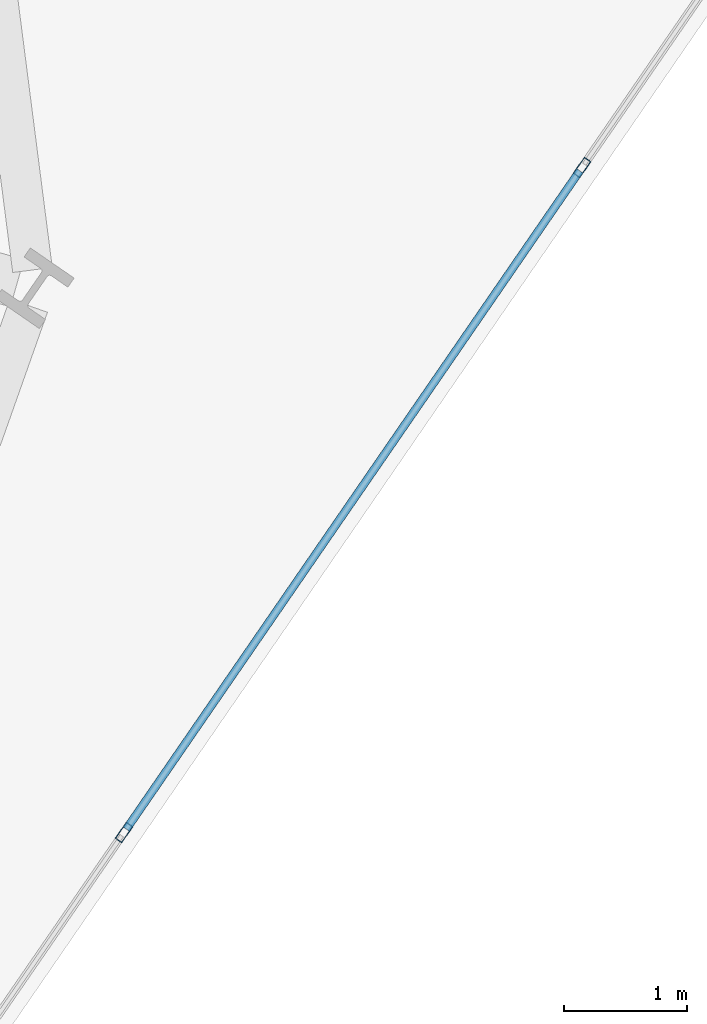
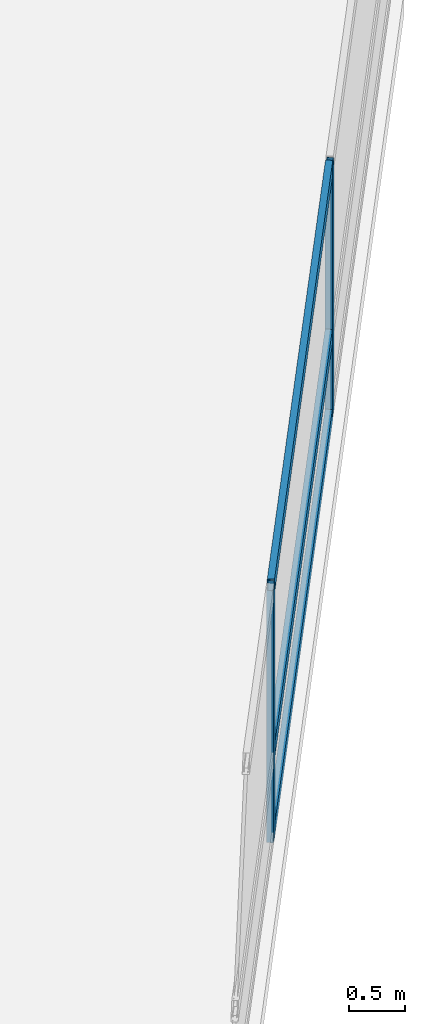
# One storey, part 11 of 27: 5 members, 1 element without a shape of its own.
"""IFC4 building model written with IfcOpenShell, lengths in metres."""

import ifcopenshell
import ifcopenshell.guid

model = None  # the IFC model being written
_history = None  # IfcOwnerHistory: only IFC2X3 demands one
_inside = {}  # id of a spatial element -> (the spatial element, [elements in it])
_under = {}  # id of a project, library or spatial element -> (it, [spatial elements below it])
_declared = {}  # id of a project -> (the project, [libraries it declares])
_typed = {}  # id of a type object -> (the type object, [elements of that type])
_made_of = {}  # id of a material, layer set ... -> (it, [elements and type objects made of it])


def new_model(schema):
    """Start an empty IFC model of exactly this schema.

    Asked for "IFC4X3", IfcOpenShell would pick the latest addendum, in which some entities
    have other attributes; the version numbers below select the first issue.
    IFC2X3 requires an IfcOwnerHistory on every rooted entity: one is made here for all.
    """
    global model, _history
    if schema == "IFC4X3":
        model = ifcopenshell.file(schema_version=(4, 3, 0, 0))
    else:
        model = ifcopenshell.file(schema=schema)
    _inside.clear()
    _under.clear()
    _declared.clear()
    _typed.clear()
    _made_of.clear()
    _history = None
    if model.schema == "IFC2X3":
        org = make("IfcOrganization", Name="unknown")
        user = make(
            "IfcPersonAndOrganization",
            ThePerson=make("IfcPerson", FamilyName="unknown"),
            TheOrganization=org,
        )
        app = make(
            "IfcApplication",
            ApplicationDeveloper=org,
            Version="unknown",
            ApplicationFullName="unknown",
            ApplicationIdentifier="unknown",
        )
        _history = make(
            "IfcOwnerHistory",
            OwningUser=user,
            OwningApplication=app,
            ChangeAction="ADDED",
            CreationDate=0,
        )
    return model


def make(cls, **values):
    """One entity of the class cls with the attributes given. An attribute that is None is left unset."""
    return model.create_entity(
        cls, **{name: value for name, value in values.items() if value is not None}
    )


def rooted(cls, **values):
    """An entity with a GlobalId (a new one), such as an element, a storey or a relation."""
    return make(cls, GlobalId=ifcopenshell.guid.new(), OwnerHistory=_history, **values)


def si_unit(unit_type, name, prefix=None):
    """IfcSIUnit, for example si_unit("LENGTHUNIT", "METRE", prefix="MILLI")."""
    return make("IfcSIUnit", UnitType=unit_type, Prefix=prefix, Name=name)


def assignment(units):
    """IfcUnitAssignment: the units of a project."""
    return None if units is None else make("IfcUnitAssignment", Units=units)


def point(xyz):
    """IfcCartesianPoint."""
    return None if xyz is None else make("IfcCartesianPoint", Coordinates=xyz)


def direction(xyz):
    """IfcDirection."""
    return None if xyz is None else make("IfcDirection", DirectionRatios=xyz)


def frame(location, z_axis=None, x_axis=None):
    """IfcAxis2Placement3D, a coordinate frame: its origin and axes. An axis left out is left unset."""
    return make(
        "IfcAxis2Placement3D",
        Location=point(location),
        Axis=direction(z_axis),
        RefDirection=direction(x_axis),
    )


def frame_2d(location, x_axis=None):
    """IfcAxis2Placement2D, a coordinate frame in the plane: its origin and x axis."""
    return make(
        "IfcAxis2Placement2D", Location=point(location), RefDirection=direction(x_axis)
    )


def origin():
    """The frame at (0, 0, 0) with its axes left unset."""
    return frame((0.0, 0.0, 0.0))


def origin_2d():
    """The frame at (0, 0) in the plane with its x axis left unset."""
    return frame_2d((0.0, 0.0))


def place(relative_to, where):
    """IfcLocalPlacement: puts the frame where relative to a parent placement (None: the world)."""
    return make(
        "IfcLocalPlacement", PlacementRelTo=relative_to, RelativePlacement=where
    )


def context(
    kind, dimensions, precision=None, world=None, true_north=None, identifier=None
):
    """IfcGeometricRepresentationContext, for example the 3D "Model" context."""
    return make(
        "IfcGeometricRepresentationContext",
        ContextIdentifier=identifier,
        ContextType=kind,
        CoordinateSpaceDimension=dimensions,
        Precision=precision,
        WorldCoordinateSystem=world,
        TrueNorth=true_north,
    )


def subcontext(parent, identifier, kind, view, scale=None):
    """IfcGeometricRepresentationSubContext, for example "Body" below "Model"."""
    return make(
        "IfcGeometricRepresentationSubContext",
        ContextIdentifier=identifier,
        ContextType=kind,
        ParentContext=parent,
        TargetScale=scale,
        TargetView=view,
    )


def project(units=None, contexts=None):
    """IfcProject with its units and contexts."""
    return rooted(
        "IfcProject",
        Name="project",
        RepresentationContexts=contexts,
        UnitsInContext=assignment(units),
    )


def spatial(cls, under=None, at=None, **own):
    """A site, building, storey or space (cls), placed at a placement, below another one or the project."""
    s = rooted(cls, ObjectPlacement=at, **own)
    if under is not None:
        _under.setdefault(under.id(), (under, []))[1].append(s)
    return s


def profile(cls, at=None, kind="AREA", **sizes):
    """A parametric profile (cls). Its sizes go by their IFC names, for example OverallWidth=200.0."""
    return make(cls, ProfileType=kind, Position=at, **sizes)


def hollow_rectangle(**sizes):
    """IfcRectangleHollowProfileDef."""
    return profile("IfcRectangleHollowProfileDef", **sizes)


def extrude(swept, where, along, depth):
    """IfcExtrudedAreaSolid: the profile swept, set in the frame where, extruded along a direction by depth."""
    return make(
        "IfcExtrudedAreaSolid",
        SweptArea=swept,
        Position=where,
        ExtrudedDirection=direction(along),
        Depth=depth,
    )


def shape(context_of_items, identifier, shape_type, items):
    """IfcShapeRepresentation: the items that make up one representation, for example the "Body"."""
    return make(
        "IfcShapeRepresentation",
        ContextOfItems=context_of_items,
        RepresentationIdentifier=identifier,
        RepresentationType=shape_type,
        Items=items,
    )


def material(Name=None, Category=None):
    """IfcMaterial."""
    return make("IfcMaterial", Name=Name, Category=Category)


def layer(
    of_material, thickness, ventilated=None, Name=None, Category=None, Priority=None
):
    """IfcMaterialLayer: one layer of a wall or slab, of a material (None: an air gap)."""
    return make(
        "IfcMaterialLayer",
        Material=of_material,
        LayerThickness=thickness,
        IsVentilated=ventilated,
        Name=Name,
        Category=Category,
        Priority=Priority,
    )


def layer_set(layers, Name=None):
    """IfcMaterialLayerSet."""
    return make("IfcMaterialLayerSet", MaterialLayers=layers, LayerSetName=Name)


def material_profile(
    of_material, cross_section, Name=None, Category=None, Priority=None
):
    """IfcMaterialProfile: a cross section and its material."""
    return make(
        "IfcMaterialProfile",
        Name=Name,
        Material=of_material,
        Profile=cross_section,
        Priority=Priority,
        Category=Category,
    )


def profile_set(profiles, Name=None, composite=None):
    """IfcMaterialProfileSet."""
    return make(
        "IfcMaterialProfileSet",
        Name=Name,
        MaterialProfiles=profiles,
        CompositeProfile=composite,
    )


def made_of(thing, what):
    """Note that an element or type object is made of a material, layer set ...; save() writes the relation."""
    if what is not None:
        _made_of.setdefault(what.id(), (what, []))[1].append(thing)
    return thing


def type_object(cls, material=None, **own):
    """A type object (cls), such as IfcWallType, which elements share."""
    return made_of(rooted(cls, **own), material)


def element(
    cls,
    number,
    at=None,
    inside=None,
    cuts=None,
    type_object=None,
    material=None,
    context=None,
    identifier="Body",
    shape_type=None,
    held_by="IfcProductDefinitionShape",
    body=None,
    shapes=None,
    **own,
):
    """One element of the class cls, such as IfcWall. Its Tag is "e" and its number.

    at: its placement. inside: the storey or other place that contains it. cuts: it is an
    opening in that element (IfcRelVoidsElement). A single representation is given by context,
    identifier, shape_type and body (its items); several are given by shapes. held_by: the class
    of the entity that holds the representations. save() writes the other relations.
    """
    e = rooted(cls, Tag="e%d" % number, ObjectPlacement=at, **own)
    if body is not None:
        shapes = [shape(context, identifier, shape_type, body)]
    if shapes is not None:
        e.Representation = make(held_by, Representations=shapes)
    if inside is not None:
        _inside.setdefault(inside.id(), (inside, []))[1].append(e)
    if cuts is not None:
        rooted(
            "IfcRelVoidsElement", RelatingBuildingElement=cuts, RelatedOpeningElement=e
        )
    if type_object is not None:
        _typed.setdefault(type_object.id(), (type_object, []))[1].append(e)
    return made_of(e, material)


def aggregate(whole, parts):
    """IfcRelAggregates: a whole, such as a stair, and the parts it consists of."""
    return rooted("IfcRelAggregates", RelatingObject=whole, RelatedObjects=parts)


def save(model, path):
    """Write the relations noted so far, then the file.

    IfcRelAggregates (storeys below a building ...), IfcRelContainedInSpatialStructure (elements
    in a storey), IfcRelDefinesByType, IfcRelAssociatesMaterial and IfcRelDeclares: one each for
    every whole, place, type object, material and project.
    """
    for whole, parts in _under.values():
        aggregate(whole, parts)
    for where, things in _inside.values():
        rooted(
            "IfcRelContainedInSpatialStructure",
            RelatedElements=things,
            RelatingStructure=where,
        )
    for kind, things in _typed.values():
        rooted("IfcRelDefinesByType", RelatedObjects=things, RelatingType=kind)
    for what, things in _made_of.values():
        rooted("IfcRelAssociatesMaterial", RelatedObjects=things, RelatingMaterial=what)
    for by, libraries in _declared.values():
        rooted("IfcRelDeclares", RelatingContext=by, RelatedDefinitions=libraries)
    model.write(path)


model = new_model("IFC4")

# Units and contexts
model_context = context("Model", 3, precision=1e-05, world=origin(), true_north=direction((0.0, 1.0)))
body_context = subcontext(model_context, "Body", "Model", "MODEL_VIEW")
ifc_project = project(units=[si_unit("LENGTHUNIT", "METRE"), si_unit("AREAUNIT", "SQUARE_METRE"), si_unit("VOLUMEUNIT", "CUBIC_METRE"), si_unit("PLANEANGLEUNIT", "RADIAN"), si_unit("MASSUNIT", "GRAM", prefix="KILO")], contexts=[model_context])

# Site, building, storey
site_placement = place(None, origin())
site = spatial("IfcSite", under=ifc_project, at=site_placement, CompositionType="ELEMENT")
building_placement = place(site_placement, origin())
building = spatial("IfcBuilding", under=site, at=building_placement, Name="Varnelok Gate Tower", CompositionType="ELEMENT")
storey_placement = place(building_placement, frame((0.0, 0.0, 30.699951171875)))
storey = spatial("IfcBuildingStorey", under=building, at=storey_placement, Name="L06", CompositionType="ELEMENT", Elevation=30.699951171875)

# Curtain wall, members
ifc_material = material(Name="Anodized Aluminum Alloy 6063-T6", Category="aluminium")
ifc_layer = layer(ifc_material, 0.179931640625)
ifc_layer_set = layer_set([ifc_layer], Name="Anodized Aluminum Alloy 6063-T6")
curtain_wall_type = type_object("IfcCurtainWallType", Name="CW3-HOTEL-VISION", PredefinedType="USERDEFINED", material=ifc_layer_set)
curtain_wall_placement = place(storey_placement, origin())
curtain_wall = element("IfcCurtainWall", 1, at=curtain_wall_placement, inside=storey, type_object=curtain_wall_type, Name="L06 East End Vision Curtain Wall", ObjectType="UNITISED CURTAIN WALL", PredefinedType="USERDEFINED")
ifc_material_profile_1 = material_profile(ifc_material, hollow_rectangle(XDim=0.06494140625, YDim=0.159912109375, WallThickness=0.00390625, at=origin_2d()), Name="ALU160X65X4")
ifc_profile_set_1 = profile_set([ifc_material_profile_1], Name="Anodized Aluminum Alloy 6063-T6")
member_type_1 = type_object("IfcMemberType", Name="CW-MULL-160", PredefinedType="MULLION", material=ifc_profile_set_1)
member_1_placement = place(storey_placement, frame((78.8173828125, 13.958251953125, 0.0), z_axis=(0.0, 0.0, 1.0), x_axis=(0.823532685111, -0.567268822124, 0.0)))
member_1 = element("IfcMember", 2, at=member_1_placement, type_object=member_type_1, Name="CW3 mullion 2", PredefinedType="MULLION", context=body_context, shape_type="SweptSolid", body=[
    extrude(hollow_rectangle(XDim=0.06494140625, YDim=0.159912109375, WallThickness=0.00390625, at=origin_2d()), origin(), (0.0, 0.0, 1.0), 2.72998046875),
])
member_2_placement = place(storey_placement, frame((75.09228515625, 8.55029296875, 0.0), z_axis=(0.0, 0.0, 1.0), x_axis=(0.823532685111, -0.567268822124, 0.0)))
member_2 = element("IfcMember", 3, at=member_2_placement, type_object=member_type_1, Name="CW3 mullion 3", PredefinedType="MULLION", context=body_context, shape_type="SweptSolid", body=[
    extrude(hollow_rectangle(XDim=0.06494140625, YDim=0.159912109375, WallThickness=0.00390625, at=origin_2d()), origin(), (0.0, 0.0, 1.0), 2.72998046875),
])
ifc_material_profile_2 = material_profile(ifc_material, hollow_rectangle(XDim=0.06494140625, YDim=0.159912109375, WallThickness=0.00390625, at=origin_2d()), Name="ALU160X65X4")
ifc_profile_set_2 = profile_set([ifc_material_profile_2], Name="Anodized Aluminum Alloy 6063-T6")
member_type_2 = type_object("IfcMemberType", Name="CW-TRAN-160", PredefinedType="USERDEFINED", material=ifc_profile_set_2)
member_3_placement = place(storey_placement, frame((78.798828125, 13.931396484375, 0.032470703125), z_axis=(-0.567279204469, -0.823525533409, 0.0), x_axis=(0.823525533409, -0.567279204469, 0.0)))
member_3 = element("IfcMember", 4, at=member_3_placement, type_object=member_type_2, Name="CW3 transom 2.1", ObjectType="TRANSOM", PredefinedType="USERDEFINED", context=body_context, shape_type="SweptSolid", body=[
    extrude(hollow_rectangle(XDim=0.06494140625, YDim=0.159912109375, WallThickness=0.00390625, at=origin_2d()), origin(), (0.0, 0.0, 1.0), 6.501708984375),
])
member_4_placement = place(storey_placement, frame((78.798828125, 13.931396484375, 0.900146484375), z_axis=(-0.567279204469, -0.823525533409, 0.0), x_axis=(0.823525533409, -0.567279204469, 0.0)))
member_4 = element("IfcMember", 5, at=member_4_placement, type_object=member_type_2, Name="CW3 transom 2.2", ObjectType="TRANSOM", PredefinedType="USERDEFINED", context=body_context, shape_type="SweptSolid", body=[
    extrude(hollow_rectangle(XDim=0.06494140625, YDim=0.159912109375, WallThickness=0.00390625, at=origin_2d()), origin(), (0.0, 0.0, 1.0), 6.501708984375),
])
member_5_placement = place(storey_placement, frame((78.798828125, 13.931396484375, 2.697509765625), z_axis=(-0.567279204469, -0.823525533409, 0.0), x_axis=(0.823525533409, -0.567279204469, 0.0)))
member_5 = element("IfcMember", 6, at=member_5_placement, type_object=member_type_2, Name="CW3 transom 2.3", ObjectType="TRANSOM", PredefinedType="USERDEFINED", context=body_context, shape_type="SweptSolid", body=[
    extrude(hollow_rectangle(XDim=0.06494140625, YDim=0.159912109375, WallThickness=0.00390625, at=origin_2d()), origin(), (0.0, 0.0, 1.0), 6.501708984375),
])
aggregate(curtain_wall, [member_1, member_2, member_3, member_4, member_5])

save(model, "model.ifc")
